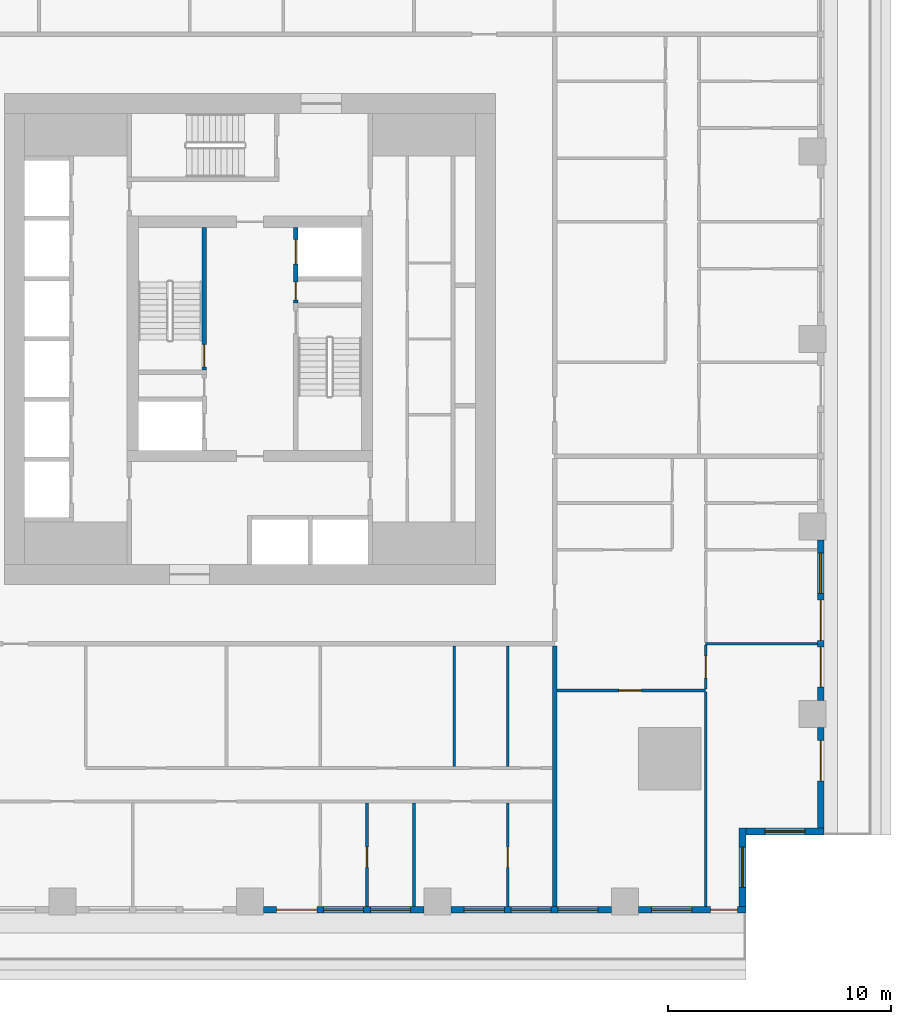
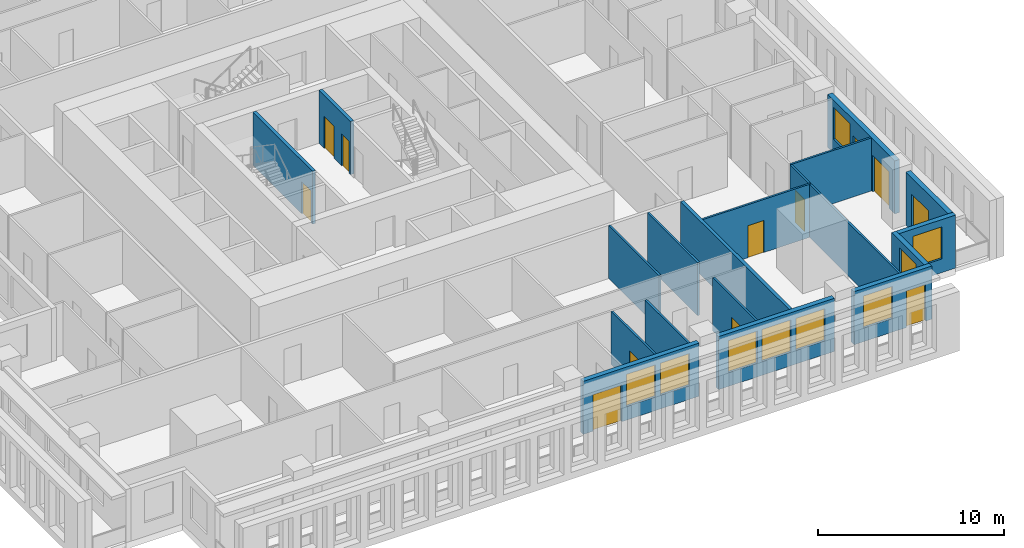
# One storey, part 4 of 14: 19 walls, 12 doors, 9 windows, 21 openings.
"""IFC4 building model written with IfcOpenShell, lengths in metres."""

from ifc_helpers import new_model, si_unit, direction, frame, frame_2d, origin, place, context, subcontext, project, spatial, rectangle, extrude, material, layer, layer_set, type_object, element, fill, save


model = new_model("IFC4")

# Units and contexts
model_context = context("Model", 3, precision=1e-05, world=origin(), true_north=direction((0.0, 1.0)))
body_context = subcontext(model_context, "Body", "Model", "MODEL_VIEW")
ifc_project = project(units=[si_unit("LENGTHUNIT", "METRE"), si_unit("AREAUNIT", "SQUARE_METRE"), si_unit("VOLUMEUNIT", "CUBIC_METRE"), si_unit("PLANEANGLEUNIT", "RADIAN"), si_unit("MASSUNIT", "GRAM", prefix="KILO")], contexts=[model_context])

# Site, building, storey
site_placement = place(None, origin())
site = spatial("IfcSite", under=ifc_project, at=site_placement, CompositionType="ELEMENT")
building_placement = place(site_placement, origin())
building = spatial("IfcBuilding", under=site, at=building_placement, Name="Khepri Terraces", CompositionType="ELEMENT")
storey_placement = place(building_placement, frame((0.0, 0.0, 90.89990234375)))
storey = spatial("IfcBuildingStorey", under=building, at=storey_placement, Name="L21", CompositionType="ELEMENT", Elevation=90.89990234375)

# Wall, opening, door
ifc_material_1 = material(Name="Concrete C70/85", Category="concrete")
ifc_layer_1 = layer(ifc_material_1, 0.199951171875, Name="Concrete C70/85", Category="concrete")
ifc_layer_set_1 = layer_set([ifc_layer_1], Name="Concrete C70/85")
wall_type_1 = type_object("IfcWallType", Name="Core wall 200 C70/85", PredefinedType="SHEAR", material=ifc_layer_set_1)
wall_1_placement = place(storey_placement, frame((-2.050048828125, -1.39990234375, 0.0), z_axis=(0.0, 0.0, 1.0), x_axis=(0.0, 1.0, 0.0)))
wall_1 = element("IfcWall", 1, at=wall_1_placement, inside=storey, type_object=wall_type_1, Name="Core wall ST03 L21", PredefinedType="SHEAR", context=body_context, shape_type="SweptSolid", body=[
    extrude(rectangle(XDim=6.39990234375, YDim=0.199951171875, at=frame_2d((3.199951171875, 0.0))), origin(), (0.0, 0.0, 1.0), 3.47998046875),
])
opening_1_placement = place(wall_1_placement, frame((0.14990234375, 0.0, 0.0)))
opening_1 = element("IfcOpeningElement", 2, at=opening_1_placement, cuts=wall_1, Name="Opening L21-C09", PredefinedType="OPENING", context=body_context, shape_type="SweptSolid", body=[
    extrude(rectangle(XDim=1.0, YDim=2.10009765625, at=frame_2d((0.5, 1.050048828125))), frame((0.0, 0.10986328125, 0.0), z_axis=(0.0, -1.0, 0.0), x_axis=(1.0, 0.0, 0.0)), (0.0, 0.0, 1.0), 0.219970703125),
])
ifc_material_2 = material(Name="Painted steel", Category="steel")
door_type_1 = type_object("IfcDoorType", Name="DR-CORE-STAIR-1000", OperationType="NOTDEFINED", PredefinedType="DOOR", material=ifc_material_2)
door_1_placement = place(opening_1_placement, origin())
door_1 = element("IfcDoor", 3, at=door_1_placement, inside=storey, type_object=door_type_1, Name="Stair door L21-C09", OperationType="SINGLE_SWING_LEFT", OverallHeight=2.10009765625, OverallWidth=1.0, PredefinedType="DOOR", context=body_context, shape_type="SweptSolid", body=[
    extrude(rectangle(XDim=1.0, YDim=2.10009765625, at=frame_2d((0.5, 1.050048828125))), frame((0.0, 0.02490234375, 0.0), z_axis=(0.0, -1.0, 0.0), x_axis=(1.0, 0.0, 0.0)), (0.0, 0.0, 1.0), 0.050048828125),
])
fill(opening_1, door_1)

# Wall, openings, doors
wall_2_placement = place(storey_placement, frame((2.050048828125, 1.60009765625, 0.0), z_axis=(0.0, 0.0, 1.0), x_axis=(0.0, 1.0, 0.0)))
wall_2 = element("IfcWall", 4, at=wall_2_placement, inside=storey, type_object=wall_type_1, Name="Core wall SH15 L21", PredefinedType="SHEAR", context=body_context, shape_type="SweptSolid", body=[
    extrude(rectangle(XDim=3.39990234375, YDim=0.199951171875, at=frame_2d((1.699951171875, 0.0))), origin(), (0.0, 0.0, 1.0), 3.47998046875),
])
opening_2_placement = place(wall_2_placement, frame((1.75, 0.0, 0.0)))
opening_2 = element("IfcOpeningElement", 5, at=opening_2_placement, cuts=wall_2, Name="Opening L21-C07", PredefinedType="OPENING", context=body_context, shape_type="SweptSolid", body=[
    extrude(rectangle(XDim=1.10009765625, YDim=2.10009765625, at=frame_2d((0.550048828125, 1.050048828125))), frame((0.0, 0.10986328125, 0.0), z_axis=(0.0, -1.0, 0.0), x_axis=(1.0, 0.0, 0.0)), (0.0, 0.0, 1.0), 0.219970703125),
])
opening_3_placement = place(wall_2_placement, frame((0.14990234375, 0.0, 0.0)))
opening_3 = element("IfcOpeningElement", 6, at=opening_3_placement, cuts=wall_2, Name="Opening L21-C11", PredefinedType="OPENING", context=body_context, shape_type="SweptSolid", body=[
    extrude(rectangle(XDim=0.800048828125, YDim=2.10009765625, at=frame_2d((0.39990234375, 1.050048828125))), frame((0.0, 0.10986328125, 0.0), z_axis=(0.0, -1.0, 0.0), x_axis=(1.0, 0.0, 0.0)), (0.0, 0.0, 1.0), 0.219970703125),
])
ifc_material_3 = material(Name="Stainless steel 304", Category="steel")
door_type_2 = type_object("IfcDoorType", Name="DR-CORE-FF-LANDING-1100", OperationType="NOTDEFINED", PredefinedType="DOOR", material=ifc_material_3)
door_2_placement = place(opening_2_placement, origin())
door_2 = element("IfcDoor", 7, at=door_2_placement, inside=storey, type_object=door_type_2, Name="Firefighting lift landing door L21-C07", OperationType="SLIDING_TO_LEFT", OverallHeight=2.10009765625, OverallWidth=1.10009765625, PredefinedType="DOOR", context=body_context, shape_type="SweptSolid", body=[
    extrude(rectangle(XDim=1.10009765625, YDim=2.10009765625, at=frame_2d((0.550048828125, 1.050048828125))), frame((0.0, 0.02490234375, 0.0), z_axis=(0.0, -1.0, 0.0), x_axis=(1.0, 0.0, 0.0)), (0.0, 0.0, 1.0), 0.050048828125),
])
fill(opening_2, door_2)
door_type_3 = type_object("IfcDoorType", Name="DR-CORE-RISER-800", OperationType="NOTDEFINED", PredefinedType="DOOR", material=ifc_material_2)
door_3_placement = place(opening_3_placement, frame((0.800048828125, 0.0, 0.0), z_axis=(0.0, 0.0, 1.0), x_axis=(-1.0, 0.0, 0.0)))
door_3 = element("IfcDoor", 8, at=door_3_placement, inside=storey, type_object=door_type_3, Name="Riser door L21-C11", OperationType="SINGLE_SWING_RIGHT", OverallHeight=2.10009765625, OverallWidth=0.800048828125, PredefinedType="DOOR", context=body_context, shape_type="SweptSolid", body=[
    extrude(rectangle(XDim=0.800048828125, YDim=2.10009765625, at=frame_2d((0.39990234375, 1.050048828125))), frame((0.0, 0.02490234375, 0.0), z_axis=(0.0, -1.0, 0.0), x_axis=(1.0, 0.0, 0.0)), (0.0, 0.0, 1.0), 0.050048828125),
])
fill(opening_3, door_3)

# Wall
ifc_material_4 = material(Name="Fire-rated gypsum plasterboard partition, mineral wool")
ifc_layer_2 = layer(ifc_material_4, 0.199951171875, Name="Fire-rated gypsum plasterboard partition, mineral wool")
ifc_layer_set_2 = layer_set([ifc_layer_2], Name="Fire-rated gypsum plasterboard partition, mineral wool")
wall_type_2 = type_object("IfcWallType", Name="WL-CORR-200", PredefinedType="PARTITIONING", material=ifc_layer_set_2)
wall_3_placement = place(storey_placement, frame((13.64990234375, -25.419921875, 0.0), z_axis=(0.0, 0.0, 1.0), x_axis=(0.0, 1.0, 0.0)))
element("IfcWall", 9, at=wall_3_placement, inside=storey, type_object=wall_type_2, Name="Partition P-007 L21", PredefinedType="PARTITIONING", context=body_context, shape_type="SweptSolid", body=[
    extrude(rectangle(XDim=11.669921875, YDim=0.199951171875, at=frame_2d((5.8349609375, 0.0))), origin(), (0.0, 0.0, 1.0), 3.47998046875),
])

# Wall, opening, window
ifc_material_5 = material(Name="Precast concrete C50/60 warm stone", Category="masonry")
ifc_layer_3 = layer(ifc_material_5, 0.300048828125, Name="Precast concrete C50/60 warm stone", Category="masonry")
ifc_layer_set_3 = layer_set([ifc_layer_3], Name="Precast concrete C50/60 warm stone")
wall_type_3 = type_object("IfcWallType", Name="WL-EXT-PRECAST-300", PredefinedType="STANDARD", material=ifc_layer_set_3)
wall_4_placement = place(storey_placement, frame((22.219970703125, -22.070068359375, 0.0), z_axis=(0.0, 0.0, 1.0), x_axis=(1.0, 0.0, 0.0)))
wall_4 = element("IfcWall", 10, at=wall_4_placement, inside=storey, type_object=wall_type_3, Name="External wall L21 S", PredefinedType="STANDARD", context=body_context, shape_type="SweptSolid", body=[
    extrude(rectangle(XDim=3.5, YDim=0.300048828125, at=frame_2d((1.75, 0.0))), origin(), (0.0, 0.0, 1.0), 3.47998046875),
])
opening_4_placement = place(wall_4_placement, frame((0.85009765625, 0.0, 0.89990234375)))
opening_4 = element("IfcOpeningElement", 11, at=opening_4_placement, cuts=wall_4, Name="Opening W1", PredefinedType="OPENING", context=body_context, shape_type="SweptSolid", body=[
    extrude(rectangle(XDim=1.800048828125, YDim=2.10009765625, at=frame_2d((0.89990234375, 1.050048828125))), frame((0.0, 0.16015625, 0.0), z_axis=(0.0, -1.0, 0.0), x_axis=(1.0, 0.0, 0.0)), (0.0, 0.0, 1.0), 0.320068359375),
])
ifc_material_6 = material(Name="Clear glass", Category="glass")
window_type = type_object("IfcWindowType", Name="WIN-RES-1800x2100", PartitioningType="SINGLE_PANEL", PredefinedType="WINDOW", material=ifc_material_6)
window_1_placement = place(opening_4_placement, origin())
window_1 = element("IfcWindow", 12, at=window_1_placement, inside=storey, type_object=window_type, Name="Window L21 S", OverallHeight=2.10009765625, OverallWidth=1.800048828125, PartitioningType="SINGLE_PANEL", PredefinedType="WINDOW", context=body_context, shape_type="SweptSolid", body=[
    extrude(rectangle(XDim=1.800048828125, YDim=2.10009765625, at=frame_2d((0.89990234375, 1.050048828125))), frame((0.0, 0.030029296875, 0.0), z_axis=(0.0, -1.0, 0.0), x_axis=(1.0, 0.0, 0.0)), (0.0, 0.0, 1.0), 0.06005859375),
])
fill(opening_4, window_1)

# Wall, opening, door
wall_5_placement = place(storey_placement, frame((25.570068359375, -21.919921875, 0.0), z_axis=(0.0, 0.0, 1.0), x_axis=(0.0, 1.0, 0.0)))
wall_5 = element("IfcWall", 13, at=wall_5_placement, inside=storey, type_object=wall_type_3, Name="External wall L21 E", PredefinedType="STANDARD", context=body_context, shape_type="SweptSolid", body=[
    extrude(rectangle(XDim=4.52001953125, YDim=0.300048828125, at=frame_2d((2.260009765625, 0.0))), origin(), (0.0, 0.0, 1.0), 3.47998046875),
])
opening_5_placement = place(wall_5_placement, frame((2.1201171875, 0.0, 0.0)))
opening_5 = element("IfcOpeningElement", 14, at=opening_5_placement, cuts=wall_5, Name="Opening ED-L21-01", PredefinedType="OPENING", context=body_context, shape_type="SweptSolid", body=[
    extrude(rectangle(XDim=1.800048828125, YDim=2.39990234375, at=frame_2d((0.89990234375, 1.199951171875))), frame((0.0, 0.16015625, 0.0), z_axis=(0.0, -1.0, 0.0), x_axis=(1.0, 0.0, 0.0)), (0.0, 0.0, 1.0), 0.320068359375),
])
ifc_material_7 = material(Name="Anodised aluminium bronze glazed door", Category="aluminium")
door_type_4 = type_object("IfcDoorType", Name="DR-BAL-SLIDE-1800x2400", OperationType="NOTDEFINED", PredefinedType="DOOR", material=ifc_material_7)
door_4_placement = place(opening_5_placement, origin())
door_4 = element("IfcDoor", 15, at=door_4_placement, inside=storey, type_object=door_type_4, Name="Balcony door L21 E", OperationType="SLIDING_TO_RIGHT", OverallHeight=2.39990234375, OverallWidth=1.800048828125, PredefinedType="DOOR", context=body_context, shape_type="SweptSolid", body=[
    extrude(rectangle(XDim=1.800048828125, YDim=2.39990234375, at=frame_2d((0.89990234375, 1.199951171875))), frame((0.0, 0.02490234375, 0.0), z_axis=(0.0, -1.0, 0.0), x_axis=(1.0, 0.0, 0.0)), (0.0, 0.0, 1.0), 0.050048828125),
])
fill(opening_5, door_4)

# Wall, openings, doors, window
wall_6_placement = place(storey_placement, frame((25.570068359375, -16.199951171875, 0.0), z_axis=(0.0, 0.0, 1.0), x_axis=(0.0, 1.0, 0.0)))
wall_6 = element("IfcWall", 16, at=wall_6_placement, inside=storey, type_object=wall_type_3, Name="External wall L21 E", PredefinedType="STANDARD", context=body_context, shape_type="SweptSolid", body=[
    extrude(rectangle(XDim=7.199951171875, YDim=0.300048828125, at=frame_2d((3.60009765625, 0.0))), origin(), (0.0, 0.0, 1.0), 3.47998046875),
])
opening_6_placement = place(wall_6_placement, frame((0.60009765625, 0.0, 0.0)))
opening_6 = element("IfcOpeningElement", 17, at=opening_6_placement, cuts=wall_6, Name="Opening ED-L21-02", PredefinedType="OPENING", context=body_context, shape_type="SweptSolid", body=[
    extrude(rectangle(XDim=1.800048828125, YDim=2.39990234375, at=frame_2d((0.89990234375, 1.199951171875))), frame((0.0, 0.16015625, 0.0), z_axis=(0.0, -1.0, 0.0), x_axis=(1.0, 0.0, 0.0)), (0.0, 0.0, 1.0), 0.320068359375),
])
opening_7_placement = place(wall_6_placement, frame((2.699951171875, 0.0, 0.0)))
opening_7 = element("IfcOpeningElement", 18, at=opening_7_placement, cuts=wall_6, Name="Opening ED-L21-03", PredefinedType="OPENING", context=body_context, shape_type="SweptSolid", body=[
    extrude(rectangle(XDim=1.800048828125, YDim=2.39990234375, at=frame_2d((0.89990234375, 1.199951171875))), frame((0.0, 0.16015625, 0.0), z_axis=(0.0, -1.0, 0.0), x_axis=(1.0, 0.0, 0.0)), (0.0, 0.0, 1.0), 0.320068359375),
])
opening_8_placement = place(wall_6_placement, frame((4.800048828125, 0.0, 0.89990234375)))
opening_8 = element("IfcOpeningElement", 19, at=opening_8_placement, cuts=wall_6, Name="Opening W1", PredefinedType="OPENING", context=body_context, shape_type="SweptSolid", body=[
    extrude(rectangle(XDim=1.800048828125, YDim=2.10009765625, at=frame_2d((0.89990234375, 1.050048828125))), frame((0.0, 0.16015625, 0.0), z_axis=(0.0, -1.0, 0.0), x_axis=(1.0, 0.0, 0.0)), (0.0, 0.0, 1.0), 0.320068359375),
])
door_5_placement = place(opening_6_placement, origin())
door_5 = element("IfcDoor", 20, at=door_5_placement, inside=storey, type_object=door_type_4, Name="Balcony door L21 E", OperationType="SLIDING_TO_LEFT", OverallHeight=2.39990234375, OverallWidth=1.800048828125, PredefinedType="DOOR", context=body_context, shape_type="SweptSolid", body=[
    extrude(rectangle(XDim=1.800048828125, YDim=2.39990234375, at=frame_2d((0.89990234375, 1.199951171875))), frame((0.0, 0.02490234375, 0.0), z_axis=(0.0, -1.0, 0.0), x_axis=(1.0, 0.0, 0.0)), (0.0, 0.0, 1.0), 0.050048828125),
])
fill(opening_6, door_5)
door_6_placement = place(opening_7_placement, origin())
door_6 = element("IfcDoor", 21, at=door_6_placement, inside=storey, type_object=door_type_4, Name="Balcony door L21 E", OperationType="SLIDING_TO_RIGHT", OverallHeight=2.39990234375, OverallWidth=1.800048828125, PredefinedType="DOOR", context=body_context, shape_type="SweptSolid", body=[
    extrude(rectangle(XDim=1.800048828125, YDim=2.39990234375, at=frame_2d((0.89990234375, 1.199951171875))), frame((0.0, 0.02490234375, 0.0), z_axis=(0.0, -1.0, 0.0), x_axis=(1.0, 0.0, 0.0)), (0.0, 0.0, 1.0), 0.050048828125),
])
fill(opening_7, door_6)
window_2_placement = place(opening_8_placement, origin())
window_2 = element("IfcWindow", 22, at=window_2_placement, inside=storey, type_object=window_type, Name="Window L21 E", OverallHeight=2.10009765625, OverallWidth=1.800048828125, PartitioningType="SINGLE_PANEL", PredefinedType="WINDOW", context=body_context, shape_type="SweptSolid", body=[
    extrude(rectangle(XDim=1.800048828125, YDim=2.10009765625, at=frame_2d((0.89990234375, 1.050048828125))), frame((0.0, 0.030029296875, 0.0), z_axis=(0.0, -1.0, 0.0), x_axis=(1.0, 0.0, 0.0)), (0.0, 0.0, 1.0), 0.06005859375),
])
fill(opening_8, window_2)

# Wall, openings, door, windows
wall_7_placement = place(storey_placement, frame((0.60009765625, -25.570068359375, 0.0), z_axis=(0.0, 0.0, 1.0), x_axis=(1.0, 0.0, 0.0)))
wall_7 = element("IfcWall", 23, at=wall_7_placement, inside=storey, type_object=wall_type_3, Name="External wall L21 S", PredefinedType="STANDARD", context=body_context, shape_type="SweptSolid", body=[
    extrude(rectangle(XDim=7.199951171875, YDim=0.300048828125, at=frame_2d((3.60009765625, 0.0))), origin(), (0.0, 0.0, 1.0), 3.47998046875),
])
opening_9_placement = place(wall_7_placement, frame((0.60009765625, 0.0, 0.0)))
opening_9 = element("IfcOpeningElement", 24, at=opening_9_placement, cuts=wall_7, Name="Opening ED-L21-21", PredefinedType="OPENING", context=body_context, shape_type="SweptSolid", body=[
    extrude(rectangle(XDim=1.800048828125, YDim=2.39990234375, at=frame_2d((0.89990234375, 1.199951171875))), frame((0.0, 0.16015625, 0.0), z_axis=(0.0, -1.0, 0.0), x_axis=(1.0, 0.0, 0.0)), (0.0, 0.0, 1.0), 0.320068359375),
])
opening_10_placement = place(wall_7_placement, frame((2.699951171875, 0.0, 0.89990234375)))
opening_10 = element("IfcOpeningElement", 25, at=opening_10_placement, cuts=wall_7, Name="Opening W1", PredefinedType="OPENING", context=body_context, shape_type="SweptSolid", body=[
    extrude(rectangle(XDim=1.800048828125, YDim=2.10009765625, at=frame_2d((0.89990234375, 1.050048828125))), frame((0.0, 0.16015625, 0.0), z_axis=(0.0, -1.0, 0.0), x_axis=(1.0, 0.0, 0.0)), (0.0, 0.0, 1.0), 0.320068359375),
])
opening_11_placement = place(wall_7_placement, frame((4.800048828125, 0.0, 0.89990234375)))
opening_11 = element("IfcOpeningElement", 26, at=opening_11_placement, cuts=wall_7, Name="Opening W1", PredefinedType="OPENING", context=body_context, shape_type="SweptSolid", body=[
    extrude(rectangle(XDim=1.800048828125, YDim=2.10009765625, at=frame_2d((0.89990234375, 1.050048828125))), frame((0.0, 0.16015625, 0.0), z_axis=(0.0, -1.0, 0.0), x_axis=(1.0, 0.0, 0.0)), (0.0, 0.0, 1.0), 0.320068359375),
])
door_7_placement = place(opening_9_placement, origin())
door_7 = element("IfcDoor", 27, at=door_7_placement, inside=storey, type_object=door_type_4, Name="Balcony door L21 S", OperationType="SLIDING_TO_LEFT", OverallHeight=2.39990234375, OverallWidth=1.800048828125, PredefinedType="DOOR", context=body_context, shape_type="SweptSolid", body=[
    extrude(rectangle(XDim=1.800048828125, YDim=2.39990234375, at=frame_2d((0.89990234375, 1.199951171875))), frame((0.0, 0.02490234375, 0.0), z_axis=(0.0, -1.0, 0.0), x_axis=(1.0, 0.0, 0.0)), (0.0, 0.0, 1.0), 0.050048828125),
])
fill(opening_9, door_7)
window_3_placement = place(opening_10_placement, origin())
window_3 = element("IfcWindow", 28, at=window_3_placement, inside=storey, type_object=window_type, Name="Window L21 S", OverallHeight=2.10009765625, OverallWidth=1.800048828125, PartitioningType="SINGLE_PANEL", PredefinedType="WINDOW", context=body_context, shape_type="SweptSolid", body=[
    extrude(rectangle(XDim=1.800048828125, YDim=2.10009765625, at=frame_2d((0.89990234375, 1.050048828125))), frame((0.0, 0.030029296875, 0.0), z_axis=(0.0, -1.0, 0.0), x_axis=(1.0, 0.0, 0.0)), (0.0, 0.0, 1.0), 0.06005859375),
])
fill(opening_10, window_3)
window_4_placement = place(opening_11_placement, origin())
window_4 = element("IfcWindow", 29, at=window_4_placement, inside=storey, type_object=window_type, Name="Window L21 S", OverallHeight=2.10009765625, OverallWidth=1.800048828125, PartitioningType="SINGLE_PANEL", PredefinedType="WINDOW", context=body_context, shape_type="SweptSolid", body=[
    extrude(rectangle(XDim=1.800048828125, YDim=2.10009765625, at=frame_2d((0.89990234375, 1.050048828125))), frame((0.0, 0.030029296875, 0.0), z_axis=(0.0, -1.0, 0.0), x_axis=(1.0, 0.0, 0.0)), (0.0, 0.0, 1.0), 0.06005859375),
])
fill(opening_11, window_4)

# Wall, openings, windows
wall_8_placement = place(storey_placement, frame((9.0, -25.570068359375, 0.0), z_axis=(0.0, 0.0, 1.0), x_axis=(1.0, 0.0, 0.0)))
wall_8 = element("IfcWall", 30, at=wall_8_placement, inside=storey, type_object=wall_type_3, Name="External wall L21 S", PredefinedType="STANDARD", context=body_context, shape_type="SweptSolid", body=[
    extrude(rectangle(XDim=7.199951171875, YDim=0.300048828125, at=frame_2d((3.60009765625, 0.0))), origin(), (0.0, 0.0, 1.0), 3.47998046875),
])
opening_12_placement = place(wall_8_placement, frame((0.60009765625, 0.0, 0.89990234375)))
opening_12 = element("IfcOpeningElement", 31, at=opening_12_placement, cuts=wall_8, Name="Opening W1", PredefinedType="OPENING", context=body_context, shape_type="SweptSolid", body=[
    extrude(rectangle(XDim=1.800048828125, YDim=2.10009765625, at=frame_2d((0.89990234375, 1.050048828125))), frame((0.0, 0.16015625, 0.0), z_axis=(0.0, -1.0, 0.0), x_axis=(1.0, 0.0, 0.0)), (0.0, 0.0, 1.0), 0.320068359375),
])
opening_13_placement = place(wall_8_placement, frame((2.699951171875, 0.0, 0.89990234375)))
opening_13 = element("IfcOpeningElement", 32, at=opening_13_placement, cuts=wall_8, Name="Opening W1", PredefinedType="OPENING", context=body_context, shape_type="SweptSolid", body=[
    extrude(rectangle(XDim=1.800048828125, YDim=2.10009765625, at=frame_2d((0.89990234375, 1.050048828125))), frame((0.0, 0.16015625, 0.0), z_axis=(0.0, -1.0, 0.0), x_axis=(1.0, 0.0, 0.0)), (0.0, 0.0, 1.0), 0.320068359375),
])
opening_14_placement = place(wall_8_placement, frame((4.800048828125, 0.0, 0.89990234375)))
opening_14 = element("IfcOpeningElement", 33, at=opening_14_placement, cuts=wall_8, Name="Opening W1", PredefinedType="OPENING", context=body_context, shape_type="SweptSolid", body=[
    extrude(rectangle(XDim=1.800048828125, YDim=2.10009765625, at=frame_2d((0.89990234375, 1.050048828125))), frame((0.0, 0.16015625, 0.0), z_axis=(0.0, -1.0, 0.0), x_axis=(1.0, 0.0, 0.0)), (0.0, 0.0, 1.0), 0.320068359375),
])
window_5_placement = place(opening_12_placement, origin())
window_5 = element("IfcWindow", 34, at=window_5_placement, inside=storey, type_object=window_type, Name="Window L21 S", OverallHeight=2.10009765625, OverallWidth=1.800048828125, PartitioningType="SINGLE_PANEL", PredefinedType="WINDOW", context=body_context, shape_type="SweptSolid", body=[
    extrude(rectangle(XDim=1.800048828125, YDim=2.10009765625, at=frame_2d((0.89990234375, 1.050048828125))), frame((0.0, 0.030029296875, 0.0), z_axis=(0.0, -1.0, 0.0), x_axis=(1.0, 0.0, 0.0)), (0.0, 0.0, 1.0), 0.06005859375),
])
fill(opening_12, window_5)
window_6_placement = place(opening_13_placement, origin())
window_6 = element("IfcWindow", 35, at=window_6_placement, inside=storey, type_object=window_type, Name="Window L21 S", OverallHeight=2.10009765625, OverallWidth=1.800048828125, PartitioningType="SINGLE_PANEL", PredefinedType="WINDOW", context=body_context, shape_type="SweptSolid", body=[
    extrude(rectangle(XDim=1.800048828125, YDim=2.10009765625, at=frame_2d((0.89990234375, 1.050048828125))), frame((0.0, 0.030029296875, 0.0), z_axis=(0.0, -1.0, 0.0), x_axis=(1.0, 0.0, 0.0)), (0.0, 0.0, 1.0), 0.06005859375),
])
fill(opening_13, window_6)
window_7_placement = place(opening_14_placement, origin())
window_7 = element("IfcWindow", 36, at=window_7_placement, inside=storey, type_object=window_type, Name="Window L21 S", OverallHeight=2.10009765625, OverallWidth=1.800048828125, PartitioningType="SINGLE_PANEL", PredefinedType="WINDOW", context=body_context, shape_type="SweptSolid", body=[
    extrude(rectangle(XDim=1.800048828125, YDim=2.10009765625, at=frame_2d((0.89990234375, 1.050048828125))), frame((0.0, 0.030029296875, 0.0), z_axis=(0.0, -1.0, 0.0), x_axis=(1.0, 0.0, 0.0)), (0.0, 0.0, 1.0), 0.06005859375),
])
fill(opening_14, window_7)

# Wall, openings, door, window
wall_9_placement = place(storey_placement, frame((17.39990234375, -25.570068359375, 0.0), z_axis=(0.0, 0.0, 1.0), x_axis=(1.0, 0.0, 0.0)))
wall_9 = element("IfcWall", 37, at=wall_9_placement, inside=storey, type_object=wall_type_3, Name="External wall L21 S", PredefinedType="STANDARD", context=body_context, shape_type="SweptSolid", body=[
    extrude(rectangle(XDim=4.820068359375, YDim=0.300048828125, at=frame_2d((2.41015625, 0.0))), origin(), (0.0, 0.0, 1.0), 3.47998046875),
])
opening_15_placement = place(wall_9_placement, frame((0.60009765625, 0.0, 0.89990234375)))
opening_15 = element("IfcOpeningElement", 38, at=opening_15_placement, cuts=wall_9, Name="Opening W1", PredefinedType="OPENING", context=body_context, shape_type="SweptSolid", body=[
    extrude(rectangle(XDim=1.800048828125, YDim=2.10009765625, at=frame_2d((0.89990234375, 1.050048828125))), frame((0.0, 0.16015625, 0.0), z_axis=(0.0, -1.0, 0.0), x_axis=(1.0, 0.0, 0.0)), (0.0, 0.0, 1.0), 0.320068359375),
])
opening_16_placement = place(wall_9_placement, frame((3.2451171875, 0.0, 0.0)))
opening_16 = element("IfcOpeningElement", 39, at=opening_16_placement, cuts=wall_9, Name="Opening ED-L21-22", PredefinedType="OPENING", context=body_context, shape_type="SweptSolid", body=[
    extrude(rectangle(XDim=1.199951171875, YDim=2.39990234375, at=frame_2d((0.60009765625, 1.199951171875))), frame((0.0, 0.16015625, 0.0), z_axis=(0.0, -1.0, 0.0), x_axis=(1.0, 0.0, 0.0)), (0.0, 0.0, 1.0), 0.320068359375),
])
door_type_5 = type_object("IfcDoorType", Name="DR-BAL-SLIDE-1200x2400", OperationType="NOTDEFINED", PredefinedType="DOOR", material=ifc_material_7)
door_8_placement = place(opening_16_placement, origin())
door_8 = element("IfcDoor", 40, at=door_8_placement, inside=storey, type_object=door_type_5, Name="Balcony door L21 S", OperationType="SLIDING_TO_RIGHT", OverallHeight=2.39990234375, OverallWidth=1.199951171875, PredefinedType="DOOR", context=body_context, shape_type="SweptSolid", body=[
    extrude(rectangle(XDim=1.199951171875, YDim=2.39990234375, at=frame_2d((0.60009765625, 1.199951171875))), frame((0.0, 0.02490234375, 0.0), z_axis=(0.0, -1.0, 0.0), x_axis=(1.0, 0.0, 0.0)), (0.0, 0.0, 1.0), 0.050048828125),
])
fill(opening_16, door_8)
window_8_placement = place(opening_15_placement, origin())
window_8 = element("IfcWindow", 41, at=window_8_placement, inside=storey, type_object=window_type, Name="Window L21 S", OverallHeight=2.10009765625, OverallWidth=1.800048828125, PartitioningType="SINGLE_PANEL", PredefinedType="WINDOW", context=body_context, shape_type="SweptSolid", body=[
    extrude(rectangle(XDim=1.800048828125, YDim=2.10009765625, at=frame_2d((0.89990234375, 1.050048828125))), frame((0.0, 0.030029296875, 0.0), z_axis=(0.0, -1.0, 0.0), x_axis=(1.0, 0.0, 0.0)), (0.0, 0.0, 1.0), 0.06005859375),
])
fill(opening_15, window_8)

# Wall, opening, window
wall_10_placement = place(storey_placement, frame((22.070068359375, -25.419921875, 0.0), z_axis=(0.0, 0.0, 1.0), x_axis=(0.0, 1.0, 0.0)))
wall_10 = element("IfcWall", 42, at=wall_10_placement, inside=storey, type_object=wall_type_3, Name="External wall L21 E", PredefinedType="STANDARD", context=body_context, shape_type="SweptSolid", body=[
    extrude(rectangle(XDim=3.5, YDim=0.300048828125, at=frame_2d((1.75, 0.0))), origin(), (0.0, 0.0, 1.0), 3.47998046875),
])
opening_17_placement = place(wall_10_placement, frame((0.85009765625, 0.0, 0.89990234375)))
opening_17 = element("IfcOpeningElement", 43, at=opening_17_placement, cuts=wall_10, Name="Opening W1", PredefinedType="OPENING", context=body_context, shape_type="SweptSolid", body=[
    extrude(rectangle(XDim=1.800048828125, YDim=2.10009765625, at=frame_2d((0.89990234375, 1.050048828125))), frame((0.0, 0.16015625, 0.0), z_axis=(0.0, -1.0, 0.0), x_axis=(1.0, 0.0, 0.0)), (0.0, 0.0, 1.0), 0.320068359375),
])
window_9_placement = place(opening_17_placement, origin())
window_9 = element("IfcWindow", 44, at=window_9_placement, inside=storey, type_object=window_type, Name="Window L21 E", OverallHeight=2.10009765625, OverallWidth=1.800048828125, PartitioningType="SINGLE_PANEL", PredefinedType="WINDOW", context=body_context, shape_type="SweptSolid", body=[
    extrude(rectangle(XDim=1.800048828125, YDim=2.10009765625, at=frame_2d((0.89990234375, 1.050048828125))), frame((0.0, 0.030029296875, 0.0), z_axis=(0.0, -1.0, 0.0), x_axis=(1.0, 0.0, 0.0)), (0.0, 0.0, 1.0), 0.06005859375),
])
fill(opening_17, window_9)

# Wall, opening, door
ifc_material_8 = material(Name="Gypsum plasterboard partition")
ifc_layer_4 = layer(ifc_material_8, 0.1201171875, Name="Gypsum plasterboard partition")
ifc_layer_set_4 = layer_set([ifc_layer_4], Name="Gypsum plasterboard partition")
wall_type_4 = type_object("IfcWallType", Name="WL-PART-120", PredefinedType="PARTITIONING", material=ifc_layer_set_4)
wall_11_placement = place(storey_placement, frame((5.25, -25.419921875, 0.0), z_axis=(0.0, 0.0, 1.0), x_axis=(0.0, 1.0, 0.0)))
wall_11 = element("IfcWall", 45, at=wall_11_placement, inside=storey, type_object=wall_type_4, Name="Partition P-004 L21", PredefinedType="PARTITIONING", context=body_context, shape_type="SweptSolid", body=[
    extrude(rectangle(XDim=4.639892578125, YDim=0.1201171875, at=frame_2d((2.31982421875, 0.0))), origin(), (0.0, 0.0, 1.0), 3.47998046875),
])
opening_18_placement = place(wall_11_placement, frame((1.75, 0.0, 0.0)))
opening_18 = element("IfcOpeningElement", 46, at=opening_18_placement, cuts=wall_11, Name="Opening D4", PredefinedType="OPENING", context=body_context, shape_type="SweptSolid", body=[
    extrude(rectangle(XDim=0.89990234375, YDim=2.10009765625, at=frame_2d((0.449951171875, 1.050048828125))), frame((0.0, 0.070068359375, 0.0), z_axis=(0.0, -1.0, 0.0), x_axis=(1.0, 0.0, 0.0)), (0.0, 0.0, 1.0), 0.14013671875),
])
ifc_material_9 = material(Name="Timber door leaf, moisture resistant", Category="wood")
door_type_6 = type_object("IfcDoorType", Name="DR-WET-900", OperationType="NOTDEFINED", PredefinedType="DOOR", material=ifc_material_9)
door_9_placement = place(opening_18_placement, frame((0.89990234375, 0.0, 0.0), z_axis=(0.0, 0.0, 1.0), x_axis=(-1.0, 0.0, 0.0)))
door_9 = element("IfcDoor", 47, at=door_9_placement, inside=storey, type_object=door_type_6, Name="Door Bathroom", OperationType="SINGLE_SWING_RIGHT", OverallHeight=2.10009765625, OverallWidth=0.89990234375, PredefinedType="DOOR", context=body_context, shape_type="SweptSolid", body=[
    extrude(rectangle(XDim=0.89990234375, YDim=2.10009765625, at=frame_2d((0.449951171875, 1.050048828125))), frame((0.0, 0.02490234375, 0.0), z_axis=(0.0, -1.0, 0.0), x_axis=(1.0, 0.0, 0.0)), (0.0, 0.0, 1.0), 0.050048828125),
])
fill(opening_18, door_9)

# Wall
wall_12_placement = place(storey_placement, frame((7.35009765625, -25.419921875, 0.0), z_axis=(0.0, 0.0, 1.0), x_axis=(0.0, 1.0, 0.0)))
element("IfcWall", 48, at=wall_12_placement, inside=storey, type_object=wall_type_4, Name="Partition P-005 L21", PredefinedType="PARTITIONING", context=body_context, shape_type="SweptSolid", body=[
    extrude(rectangle(XDim=4.639892578125, YDim=0.1201171875, at=frame_2d((2.31982421875, 0.0))), origin(), (0.0, 0.0, 1.0), 3.47998046875),
])

# Wall, opening, door
wall_13_placement = place(storey_placement, frame((11.550048828125, -25.419921875, 0.0), z_axis=(0.0, 0.0, 1.0), x_axis=(0.0, 1.0, 0.0)))
wall_13 = element("IfcWall", 49, at=wall_13_placement, inside=storey, type_object=wall_type_4, Name="Partition P-006 L21", PredefinedType="PARTITIONING", context=body_context, shape_type="SweptSolid", body=[
    extrude(rectangle(XDim=4.639892578125, YDim=0.1201171875, at=frame_2d((2.31982421875, 0.0))), origin(), (0.0, 0.0, 1.0), 3.47998046875),
])
opening_19_placement = place(wall_13_placement, frame((1.75, 0.0, 0.0)))
opening_19 = element("IfcOpeningElement", 50, at=opening_19_placement, cuts=wall_13, Name="Opening D4", PredefinedType="OPENING", context=body_context, shape_type="SweptSolid", body=[
    extrude(rectangle(XDim=0.89990234375, YDim=2.10009765625, at=frame_2d((0.449951171875, 1.050048828125))), frame((0.0, 0.070068359375, 0.0), z_axis=(0.0, -1.0, 0.0), x_axis=(1.0, 0.0, 0.0)), (0.0, 0.0, 1.0), 0.14013671875),
])
door_10_placement = place(opening_19_placement, frame((0.89990234375, 0.0, 0.0), z_axis=(0.0, 0.0, 1.0), x_axis=(-1.0, 0.0, 0.0)))
door_10 = element("IfcDoor", 51, at=door_10_placement, inside=storey, type_object=door_type_6, Name="Door Bathroom", OperationType="SINGLE_SWING_RIGHT", OverallHeight=2.10009765625, OverallWidth=0.89990234375, PredefinedType="DOOR", context=body_context, shape_type="SweptSolid", body=[
    extrude(rectangle(XDim=0.89990234375, YDim=2.10009765625, at=frame_2d((0.449951171875, 1.050048828125))), frame((0.0, 0.02490234375, 0.0), z_axis=(0.0, -1.0, 0.0), x_axis=(1.0, 0.0, 0.0)), (0.0, 0.0, 1.0), 0.050048828125),
])
fill(opening_19, door_10)

# Walls
wall_14_placement = place(storey_placement, frame((20.419921875, -25.419921875, 0.0), z_axis=(0.0, 0.0, 1.0), x_axis=(0.0, 1.0, 0.0)))
element("IfcWall", 52, at=wall_14_placement, inside=storey, type_object=wall_type_4, Name="Partition P-008 L21", PredefinedType="PARTITIONING", context=body_context, shape_type="SweptSolid", body=[
    extrude(rectangle(XDim=9.60986328125, YDim=0.1201171875, at=frame_2d((4.804931640625, 0.0))), origin(), (0.0, 0.0, 1.0), 3.47998046875),
])
for number, where, z_axis, x_axis, name in (
    (53, (9.14990234375, -19.159912109375, 0.0), (0.0, 0.0, 1.0), (0.0, 1.0, 0.0), "Partition P-015 L21"),
    (54, (11.550048828125, -19.159912109375, 0.0), (0.0, 0.0, 1.0), (0.0, 1.0, 0.0), "Partition P-016 L21"),
):
    element("IfcWall", number, at=place(storey_placement, frame(where, z_axis=z_axis, x_axis=x_axis)), inside=storey, type_object=wall_type_4, Name=name, PredefinedType="PARTITIONING", context=body_context, shape_type="SweptSolid", body=[
        extrude(rectangle(XDim=5.409912109375, YDim=0.1201171875, at=frame_2d((2.705078125, 0.0))), origin(), (0.0, 0.0, 1.0), 3.47998046875),
    ])

# Wall, opening, door
wall_15_placement = place(storey_placement, frame((13.75, -15.75, 0.0), z_axis=(0.0, 0.0, 1.0), x_axis=(1.0, 0.0, 0.0)))
wall_15 = element("IfcWall", 55, at=wall_15_placement, inside=storey, type_object=wall_type_4, Name="Partition P-017 L21", PredefinedType="PARTITIONING", context=body_context, shape_type="SweptSolid", body=[
    extrude(rectangle(XDim=6.669921875, YDim=0.1201171875, at=frame_2d((3.3349609375, 0.0))), origin(), (0.0, 0.0, 1.0), 3.47998046875),
])
opening_20_placement = place(wall_15_placement, frame((2.784912109375, 0.0, 0.0)))
opening_20 = element("IfcOpeningElement", 56, at=opening_20_placement, cuts=wall_15, Name="Opening D2", PredefinedType="OPENING", context=body_context, shape_type="SweptSolid", body=[
    extrude(rectangle(XDim=1.0, YDim=2.10009765625, at=frame_2d((0.5, 1.050048828125))), frame((0.0, 0.070068359375, 0.0), z_axis=(0.0, -1.0, 0.0), x_axis=(1.0, 0.0, 0.0)), (0.0, 0.0, 1.0), 0.14013671875),
])
ifc_material_10 = material(Name="Timber door leaf, living room door", Category="wood")
door_type_7 = type_object("IfcDoorType", Name="DR-INT-1000", OperationType="NOTDEFINED", PredefinedType="DOOR", material=ifc_material_10)
door_11_placement = place(opening_20_placement, frame((1.0, 0.0, 0.0), z_axis=(0.0, 0.0, 1.0), x_axis=(-1.0, 0.0, 0.0)))
door_11 = element("IfcDoor", 57, at=door_11_placement, inside=storey, type_object=door_type_7, Name="Door Family Room", OperationType="SINGLE_SWING_RIGHT", OverallHeight=2.10009765625, OverallWidth=1.0, PredefinedType="DOOR", context=body_context, shape_type="SweptSolid", body=[
    extrude(rectangle(XDim=1.0, YDim=2.10009765625, at=frame_2d((0.5, 1.050048828125))), frame((0.0, 0.02490234375, 0.0), z_axis=(0.0, -1.0, 0.0), x_axis=(1.0, 0.0, 0.0)), (0.0, 0.0, 1.0), 0.050048828125),
])
fill(opening_20, door_11)

wall_16_placement = place(storey_placement, frame((20.419921875, -15.68994140625, 0.0), z_axis=(0.0, 0.0, 1.0), x_axis=(0.0, 1.0, 0.0)))
wall_16 = element("IfcWall", 58, at=wall_16_placement, inside=storey, type_object=wall_type_4, Name="Partition P-018 L21", PredefinedType="PARTITIONING", context=body_context, shape_type="SweptSolid", body=[
    extrude(rectangle(XDim=1.97998046875, YDim=0.1201171875, at=frame_2d((0.989990234375, 0.0))), origin(), (0.0, 0.0, 1.0), 3.47998046875),
])
opening_21_placement = place(wall_16_placement, frame((0.489990234375, 0.0, 0.0)))
opening_21 = element("IfcOpeningElement", 59, at=opening_21_placement, cuts=wall_16, Name="Opening D2", PredefinedType="OPENING", context=body_context, shape_type="SweptSolid", body=[
    extrude(rectangle(XDim=1.0, YDim=2.10009765625, at=frame_2d((0.5, 1.050048828125))), frame((0.0, 0.070068359375, 0.0), z_axis=(0.0, -1.0, 0.0), x_axis=(1.0, 0.0, 0.0)), (0.0, 0.0, 1.0), 0.14013671875),
])
door_12_placement = place(opening_21_placement, frame((1.0, 0.0, 0.0), z_axis=(0.0, 0.0, 1.0), x_axis=(-1.0, 0.0, 0.0)))
door_12 = element("IfcDoor", 60, at=door_12_placement, inside=storey, type_object=door_type_7, Name="Door Living Room", OperationType="SINGLE_SWING_LEFT", OverallHeight=2.10009765625, OverallWidth=1.0, PredefinedType="DOOR", context=body_context, shape_type="SweptSolid", body=[
    extrude(rectangle(XDim=1.0, YDim=2.10009765625, at=frame_2d((0.5, 1.050048828125))), frame((0.0, 0.02490234375, 0.0), z_axis=(0.0, -1.0, 0.0), x_axis=(1.0, 0.0, 0.0)), (0.0, 0.0, 1.0), 0.050048828125),
])
fill(opening_21, door_12)

# Wall
wall_17_placement = place(storey_placement, frame((20.419921875, -13.64990234375, 0.0), z_axis=(0.0, 0.0, 1.0), x_axis=(1.0, 0.0, 0.0)))
element("IfcWall", 61, at=wall_17_placement, inside=storey, type_object=wall_type_4, Name="Partition P-020 L21", PredefinedType="PARTITIONING", context=body_context, shape_type="SweptSolid", body=[
    extrude(rectangle(XDim=5.0, YDim=0.1201171875, at=frame_2d((2.5, 0.0))), origin(), (0.0, 0.0, 1.0), 3.47998046875),
])

save(model, "model.ifc")
